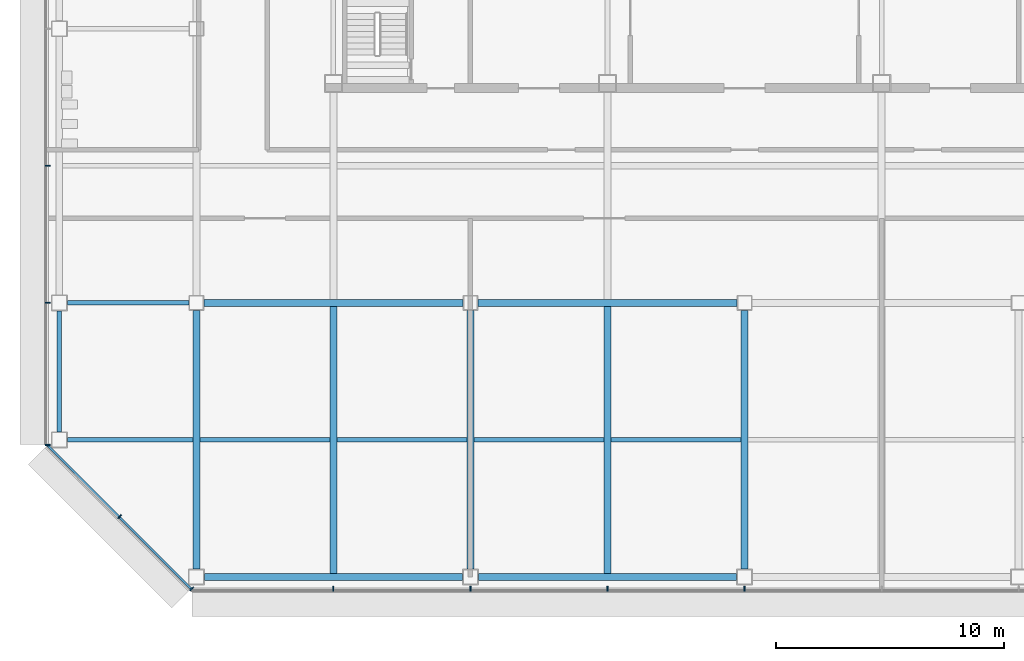
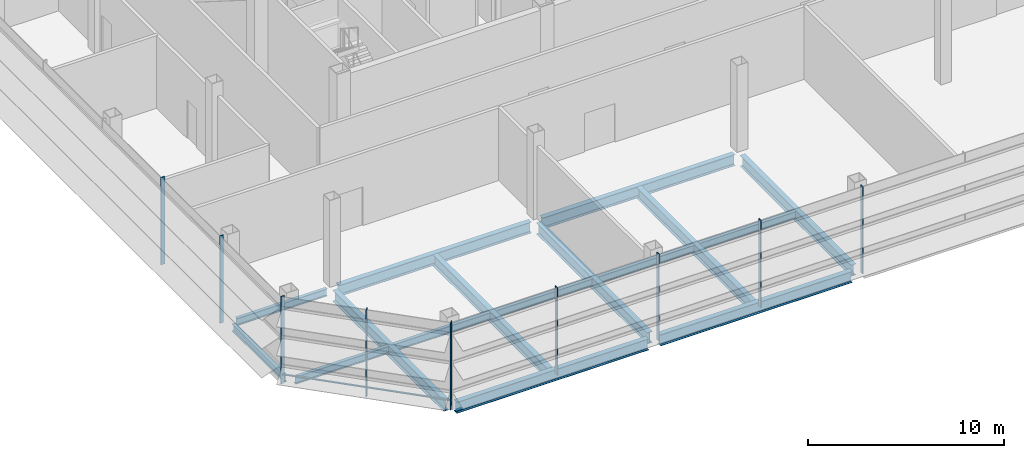
# One storey, part 2 of 24: 16 beams, 10 members, 3 elements without a shape of their own.
"""IFC4 building model written with IfcOpenShell, lengths in metres."""

from ifc_helpers import new_model, si_unit, direction, frame, origin, origin_2d, place, context, subcontext, project, spatial, rectangle, i_section, extrude, material, material_profile, profile_set, type_object, element, aggregate, save


model = new_model("IFC4")

# Units and contexts
model_context = context("Model", 3, precision=1e-05, world=origin(), true_north=direction((0.0, 1.0)))
body_context = subcontext(model_context, "Body", "Model", "MODEL_VIEW")
ifc_project = project(units=[si_unit("LENGTHUNIT", "METRE"), si_unit("AREAUNIT", "SQUARE_METRE"), si_unit("VOLUMEUNIT", "CUBIC_METRE"), si_unit("PLANEANGLEUNIT", "RADIAN"), si_unit("MASSUNIT", "GRAM", prefix="KILO")], contexts=[model_context])

# Site, building, storey
site_placement = place(None, origin())
site = spatial("IfcSite", under=ifc_project, at=site_placement, CompositionType="ELEMENT")
building_placement = place(site_placement, origin())
building = spatial("IfcBuilding", under=site, at=building_placement, Name="Sorahane Residences", CompositionType="ELEMENT")
storey_placement = place(building_placement, frame((0.0, 0.0, 161.800048828125)))
storey = spatial("IfcBuildingStorey", under=building, at=storey_placement, Name="L37", CompositionType="ELEMENT", Elevation=161.800048828125)

# Curtain wall, members
ifc_material_1 = material(Name="Dark low-e glass and black anodised aluminium", Category="aluminium")
curtain_wall_type = type_object("IfcCurtainWallType", Name="Curtain wall CW-4 Sky floor frameless wall", PredefinedType="NOTDEFINED", material=ifc_material_1)
curtain_wall_1_placement = place(storey_placement, origin())
curtain_wall_1 = element("IfcCurtainWall", 1, at=curtain_wall_1_placement, inside=storey, type_object=curtain_wall_type, Name="CW-4 curtain wall L37 S1", PredefinedType="NOTDEFINED")
ifc_material_2 = material(Name="Black anodised aluminium", Category="aluminium")
ifc_material_profile_1 = material_profile(ifc_material_2, rectangle(XDim=0.219970703125, YDim=0.050048828125, at=origin_2d()), Name="Curtain wall mullion CW-4 black anodised aluminium 50x220")
ifc_profile_set_1 = profile_set([ifc_material_profile_1], Name="Black anodised aluminium")
member_type_1 = type_object("IfcMemberType", Name="Curtain wall mullion CW-4 black anodised aluminium 50x220", PredefinedType="MULLION", material=ifc_profile_set_1)
member_1_placement = place(storey_placement, frame((6.0, -0.510009765625, -0.219970703125), z_axis=(0.0, 0.0, 1.0), x_axis=(0.0, -1.0, 0.0)))
member_1 = element("IfcMember", 2, at=member_1_placement, type_object=member_type_1, Name="CW-4 mullion L37 S1.2", PredefinedType="MULLION", context=body_context, shape_type="SweptSolid", body=[
    extrude(rectangle(XDim=0.219970703125, YDim=0.050048828125, at=origin_2d()), origin(), (0.0, 0.0, 1.0), 5.43994140625),
])
member_2_placement = place(storey_placement, frame((12.0, -0.510009765625, -0.219970703125), z_axis=(0.0, 0.0, 1.0), x_axis=(0.0, -1.0, 0.0)))
member_2 = element("IfcMember", 3, at=member_2_placement, type_object=member_type_1, Name="CW-4 mullion L37 S1.3", PredefinedType="MULLION", context=body_context, shape_type="SweptSolid", body=[
    extrude(rectangle(XDim=0.219970703125, YDim=0.050048828125, at=origin_2d()), origin(), (0.0, 0.0, 1.0), 5.43994140625),
])
member_3_placement = place(storey_placement, frame((18.0, -0.510009765625, -0.219970703125), z_axis=(0.0, 0.0, 1.0), x_axis=(0.0, -1.0, 0.0)))
member_3 = element("IfcMember", 4, at=member_3_placement, type_object=member_type_1, Name="CW-4 mullion L37 S1.4", PredefinedType="MULLION", context=body_context, shape_type="SweptSolid", body=[
    extrude(rectangle(XDim=0.219970703125, YDim=0.050048828125, at=origin_2d()), origin(), (0.0, 0.0, 1.0), 5.43994140625),
])
member_4_placement = place(storey_placement, frame((24.0, -0.510009765625, -0.219970703125), z_axis=(0.0, 0.0, 1.0), x_axis=(0.0, -1.0, 0.0)))
member_4 = element("IfcMember", 5, at=member_4_placement, type_object=member_type_1, Name="CW-4 mullion L37 S1.5", PredefinedType="MULLION", context=body_context, shape_type="SweptSolid", body=[
    extrude(rectangle(XDim=0.219970703125, YDim=0.050048828125, at=origin_2d()), origin(), (0.0, 0.0, 1.0), 5.43994140625),
])
aggregate(curtain_wall_1, [member_1, member_2, member_3, member_4])

curtain_wall_2_placement = place(storey_placement, origin())
curtain_wall_2 = element("IfcCurtainWall", 6, at=curtain_wall_2_placement, inside=storey, type_object=curtain_wall_type, Name="CW-4 curtain wall L37 W1", PredefinedType="NOTDEFINED")
member_5_placement = place(storey_placement, frame((-6.510009765625, 18.0, -0.219970703125), z_axis=(0.0, 0.0, 1.0), x_axis=(-1.0, 0.0, 0.0)))
member_5 = element("IfcMember", 7, at=member_5_placement, type_object=member_type_1, Name="CW-4 mullion L37 W1.5", PredefinedType="MULLION", context=body_context, shape_type="SweptSolid", body=[
    extrude(rectangle(XDim=0.219970703125, YDim=0.050048828125, at=origin_2d()), origin(), (0.0, 0.0, 1.0), 5.43994140625),
])
member_6_placement = place(storey_placement, frame((-6.510009765625, 12.0, -0.219970703125), z_axis=(0.0, 0.0, 1.0), x_axis=(-1.0, 0.0, 0.0)))
member_6 = element("IfcMember", 8, at=member_6_placement, type_object=member_type_1, Name="CW-4 mullion L37 W1.6", PredefinedType="MULLION", context=body_context, shape_type="SweptSolid", body=[
    extrude(rectangle(XDim=0.219970703125, YDim=0.050048828125, at=origin_2d()), origin(), (0.0, 0.0, 1.0), 5.43994140625),
])
member_7_placement = place(storey_placement, frame((-6.510009765625, 5.7763671875, -0.219970703125), z_axis=(0.0, 0.0, 1.0), x_axis=(-1.0, 0.0, 0.0)))
member_7 = element("IfcMember", 9, at=member_7_placement, type_object=member_type_1, Name="CW-4 mullion L37 W1.7", PredefinedType="MULLION", context=body_context, shape_type="SweptSolid", body=[
    extrude(rectangle(XDim=0.219970703125, YDim=0.050048828125, at=origin_2d()), origin(), (0.0, 0.0, 1.0), 5.43994140625),
])
aggregate(curtain_wall_2, [member_5, member_6, member_7])

curtain_wall_3_placement = place(storey_placement, origin())
curtain_wall_3 = element("IfcCurtainWall", 10, at=curtain_wall_3_placement, inside=storey, type_object=curtain_wall_type, Name="CW-4 curtain wall L37 SW1", PredefinedType="NOTDEFINED")
member_8_placement = place(storey_placement, frame((-3.360595703125, 2.639404296875, -0.219970703125), z_axis=(0.0, 0.0, 1.0), x_axis=(-0.707106781187, -0.707106781187, 0.0)))
member_8 = element("IfcMember", 11, at=member_8_placement, type_object=member_type_1, Name="CW-4 mullion L37 SW1.2", PredefinedType="MULLION", context=body_context, shape_type="SweptSolid", body=[
    extrude(rectangle(XDim=0.219970703125, YDim=0.050048828125, at=origin_2d()), origin(), (0.0, 0.0, 1.0), 5.43994140625),
])
member_9_placement = place(storey_placement, frame((-0.20263671875, -0.518798828125, -0.219970703125), z_axis=(0.0, 0.0, 1.0), x_axis=(-0.707106781187, -0.707106781187, 0.0)))
member_9 = element("IfcMember", 12, at=member_9_placement, type_object=member_type_1, Name="CW-4 mullion L37 SW1.3", PredefinedType="MULLION", context=body_context, shape_type="SweptSolid", body=[
    extrude(rectangle(XDim=0.219970703125, YDim=0.050048828125, at=origin_2d()), origin(), (0.0, 0.0, 1.0), 5.43994140625),
])
ifc_material_3 = material(Name="Black anodised aluminium", Category="aluminium")
ifc_material_profile_2 = material_profile(ifc_material_3, rectangle(XDim=0.10009765625, YDim=0.06005859375, at=origin_2d()), Name="Curtain wall transom CW-4 black anodised aluminium 60x100")
ifc_profile_set_2 = profile_set([ifc_material_profile_2], Name="Black anodised aluminium")
member_type_2 = type_object("IfcMemberType", Name="Curtain wall transom CW-4 black anodised aluminium 60x100", PredefinedType="USERDEFINED", material=ifc_profile_set_2)
member_10_placement = place(storey_placement, frame((-6.51513671875, 5.765625, 0.349853515625), z_axis=(0.707106781187, -0.707106781187, 0.0), x_axis=(0.707106781187, 0.707106781187, 0.0)))
member_10 = element("IfcMember", 13, at=member_10_placement, type_object=member_type_2, Name="CW-4 transom L37 SW1", ObjectType="TRANSOM", PredefinedType="USERDEFINED", context=body_context, shape_type="SweptSolid", body=[
    extrude(rectangle(XDim=0.10009765625, YDim=0.06005859375, at=origin_2d()), origin(), (0.0, 0.0, 1.0), 8.88232421875),
])
aggregate(curtain_wall_3, [member_8, member_9, member_10])

# Beams
ifc_material_4 = material(Name="Steel Q355B", Category="steel")
ifc_material_profile_3 = material_profile(ifc_material_4, i_section(OverallWidth=0.199951171875, OverallDepth=0.449951171875, WebThickness=0.009033203125, FlangeThickness=0.013916015625, FilletRadius=0.02001953125, at=origin_2d()), Name="HN 450x200x9x14")
ifc_profile_set_3 = profile_set([ifc_material_profile_3], Name="Steel Q355B")
beam_type_1 = type_object("IfcBeamType", Name="Steel floor beam HN 450x200x9x14 Q355B", PredefinedType="BEAM", material=ifc_profile_set_3)
beam_1_placement = place(storey_placement, frame((-5.64990234375, 12.0, -0.445068359375), z_axis=(1.0, 0.0, 0.0), x_axis=(0.0, 1.0, 0.0)))
element("IfcBeam", 14, at=beam_1_placement, inside=storey, type_object=beam_type_1, Name="Beam L37 005", PredefinedType="BEAM", context=body_context, shape_type="SweptSolid", body=[
    extrude(i_section(OverallWidth=0.199951171875, OverallDepth=0.449951171875, WebThickness=0.009033203125, FlangeThickness=0.013916015625, FilletRadius=0.02001953125, at=origin_2d()), origin(), (0.0, 0.0, 1.0), 5.324951171875),
])
beam_2_placement = place(storey_placement, frame((-6.0, 6.35009765625, -0.445068359375), z_axis=(0.0, 1.0, 0.0), x_axis=(-1.0, 0.0, 0.0)))
element("IfcBeam", 15, at=beam_2_placement, inside=storey, type_object=beam_type_1, Name="Beam L37 020", PredefinedType="BEAM", context=body_context, shape_type="SweptSolid", body=[
    extrude(i_section(OverallWidth=0.199951171875, OverallDepth=0.449951171875, WebThickness=0.009033203125, FlangeThickness=0.013916015625, FilletRadius=0.02001953125, at=origin_2d()), origin(), (0.0, 0.0, 1.0), 5.2998046875),
])
beam_3_placement = place(storey_placement, frame((-5.64990234375, 6.0, -0.445068359375), z_axis=(1.0, 0.0, 0.0), x_axis=(0.0, 1.0, 0.0)))
element("IfcBeam", 16, at=beam_3_placement, inside=storey, type_object=beam_type_1, Name="Beam L37 068", PredefinedType="BEAM", context=body_context, shape_type="SweptSolid", body=[
    extrude(i_section(OverallWidth=0.199951171875, OverallDepth=0.449951171875, WebThickness=0.009033203125, FlangeThickness=0.013916015625, FilletRadius=0.02001953125, at=origin_2d()), origin(), (0.0, 0.0, 1.0), 5.5),
])
for number, where, z_axis, x_axis, name in (
    (17, (0.14990234375, 6.0, -0.445068359375), (1.0, 0.0, 0.0), (0.0, 1.0, 0.0), "Beam L37 069"),
    (18, (6.14990234375, 6.0, -0.445068359375), (1.0, 0.0, 0.0), (0.0, 1.0, 0.0), "Beam L37 070"),
    (19, (12.14990234375, 6.0, -0.445068359375), (1.0, 0.0, 0.0), (0.0, 1.0, 0.0), "Beam L37 071"),
    (20, (18.14990234375, 6.0, -0.445068359375), (1.0, 0.0, 0.0), (0.0, 1.0, 0.0), "Beam L37 072"),
):
    element("IfcBeam", number, at=place(storey_placement, frame(where, z_axis=z_axis, x_axis=x_axis)), inside=storey, type_object=beam_type_1, Name=name, PredefinedType="BEAM", context=body_context, shape_type="SweptSolid", body=[
        extrude(i_section(OverallWidth=0.199951171875, OverallDepth=0.449951171875, WebThickness=0.009033203125, FlangeThickness=0.013916015625, FilletRadius=0.02001953125, at=origin_2d()), origin(), (0.0, 0.0, 1.0), 5.7001953125),
    ])
ifc_material_5 = material(Name="Steel Q355B", Category="steel")
ifc_material_profile_4 = material_profile(ifc_material_5, i_section(OverallWidth=0.300048828125, OverallDepth=0.699951171875, WebThickness=0.012939453125, FlangeThickness=0.02392578125, FilletRadius=0.028076171875, at=origin_2d()), Name="HN 700x300x13x24")
ifc_profile_set_4 = profile_set([ifc_material_profile_4], Name="Steel Q355B")
beam_type_2 = type_object("IfcBeamType", Name="Steel floor beam HN 700x300x13x24 Q355B", PredefinedType="BEAM", material=ifc_profile_set_4)
for number, where, z_axis, x_axis, name in (
    (21, (0.35009765625, 0.0, -0.570068359375), (1.0, 0.0, 0.0), (0.0, 1.0, 0.0), "Beam L37 000"),
    (22, (12.35009765625, 0.0, -0.570068359375), (1.0, 0.0, 0.0), (0.0, 1.0, 0.0), "Beam L37 001"),
):
    element("IfcBeam", number, at=place(storey_placement, frame(where, z_axis=z_axis, x_axis=x_axis)), inside=storey, type_object=beam_type_2, Name=name, PredefinedType="BEAM", context=body_context, shape_type="SweptSolid", body=[
        extrude(i_section(OverallWidth=0.300048828125, OverallDepth=0.699951171875, WebThickness=0.012939453125, FlangeThickness=0.02392578125, FilletRadius=0.028076171875, at=origin_2d()), origin(), (0.0, 0.0, 1.0), 11.2998046875),
    ])
for number, where, z_axis, x_axis, name in (
    (23, (0.324951171875, 12.0, -0.570068359375), (1.0, 0.0, 0.0), (0.0, 1.0, 0.0), "Beam L37 006"),
    (24, (12.324951171875, 12.0, -0.570068359375), (1.0, 0.0, 0.0), (0.0, 1.0, 0.0), "Beam L37 007"),
):
    element("IfcBeam", number, at=place(storey_placement, frame(where, z_axis=z_axis, x_axis=x_axis)), inside=storey, type_object=beam_type_2, Name=name, PredefinedType="BEAM", context=body_context, shape_type="SweptSolid", body=[
        extrude(i_section(OverallWidth=0.300048828125, OverallDepth=0.699951171875, WebThickness=0.012939453125, FlangeThickness=0.02392578125, FilletRadius=0.028076171875, at=origin_2d()), origin(), (0.0, 0.0, 1.0), 11.35009765625),
    ])
beam_4_placement = place(storey_placement, frame((0.0, 0.35009765625, -0.570068359375), z_axis=(0.0, 1.0, 0.0), x_axis=(-1.0, 0.0, 0.0)))
element("IfcBeam", 25, at=beam_4_placement, inside=storey, type_object=beam_type_2, Name="Beam L37 024", PredefinedType="BEAM", context=body_context, shape_type="SweptSolid", body=[
    extrude(i_section(OverallWidth=0.300048828125, OverallDepth=0.699951171875, WebThickness=0.012939453125, FlangeThickness=0.02392578125, FilletRadius=0.028076171875, at=origin_2d()), origin(), (0.0, 0.0, 1.0), 11.324951171875),
])
beam_5_placement = place(storey_placement, frame((6.0, 0.14990234375, -0.570068359375), z_axis=(0.0, 1.0, 0.0), x_axis=(-1.0, 0.0, 0.0)))
element("IfcBeam", 26, at=beam_5_placement, inside=storey, type_object=beam_type_2, Name="Beam L37 028", PredefinedType="BEAM", context=body_context, shape_type="SweptSolid", body=[
    extrude(i_section(OverallWidth=0.300048828125, OverallDepth=0.699951171875, WebThickness=0.012939453125, FlangeThickness=0.02392578125, FilletRadius=0.028076171875, at=origin_2d()), origin(), (0.0, 0.0, 1.0), 11.7001953125),
])
beam_6_placement = place(storey_placement, frame((12.0, 0.35009765625, -0.570068359375), z_axis=(0.0, 1.0, 0.0), x_axis=(-1.0, 0.0, 0.0)))
element("IfcBeam", 27, at=beam_6_placement, inside=storey, type_object=beam_type_2, Name="Beam L37 034", PredefinedType="BEAM", context=body_context, shape_type="SweptSolid", body=[
    extrude(i_section(OverallWidth=0.300048828125, OverallDepth=0.699951171875, WebThickness=0.012939453125, FlangeThickness=0.02392578125, FilletRadius=0.028076171875, at=origin_2d()), origin(), (0.0, 0.0, 1.0), 11.324951171875),
])
beam_7_placement = place(storey_placement, frame((18.0, 0.14990234375, -0.570068359375), z_axis=(0.0, 1.0, 0.0), x_axis=(-1.0, 0.0, 0.0)))
element("IfcBeam", 28, at=beam_7_placement, inside=storey, type_object=beam_type_2, Name="Beam L37 036", PredefinedType="BEAM", context=body_context, shape_type="SweptSolid", body=[
    extrude(i_section(OverallWidth=0.300048828125, OverallDepth=0.699951171875, WebThickness=0.012939453125, FlangeThickness=0.02392578125, FilletRadius=0.028076171875, at=origin_2d()), origin(), (0.0, 0.0, 1.0), 11.7001953125),
])
beam_8_placement = place(storey_placement, frame((24.0, 0.35009765625, -0.570068359375), z_axis=(0.0, 1.0, 0.0), x_axis=(-1.0, 0.0, 0.0)))
element("IfcBeam", 29, at=beam_8_placement, inside=storey, type_object=beam_type_2, Name="Beam L37 042", PredefinedType="BEAM", context=body_context, shape_type="SweptSolid", body=[
    extrude(i_section(OverallWidth=0.300048828125, OverallDepth=0.699951171875, WebThickness=0.012939453125, FlangeThickness=0.02392578125, FilletRadius=0.028076171875, at=origin_2d()), origin(), (0.0, 0.0, 1.0), 11.324951171875),
])

save(model, "model.ifc")
